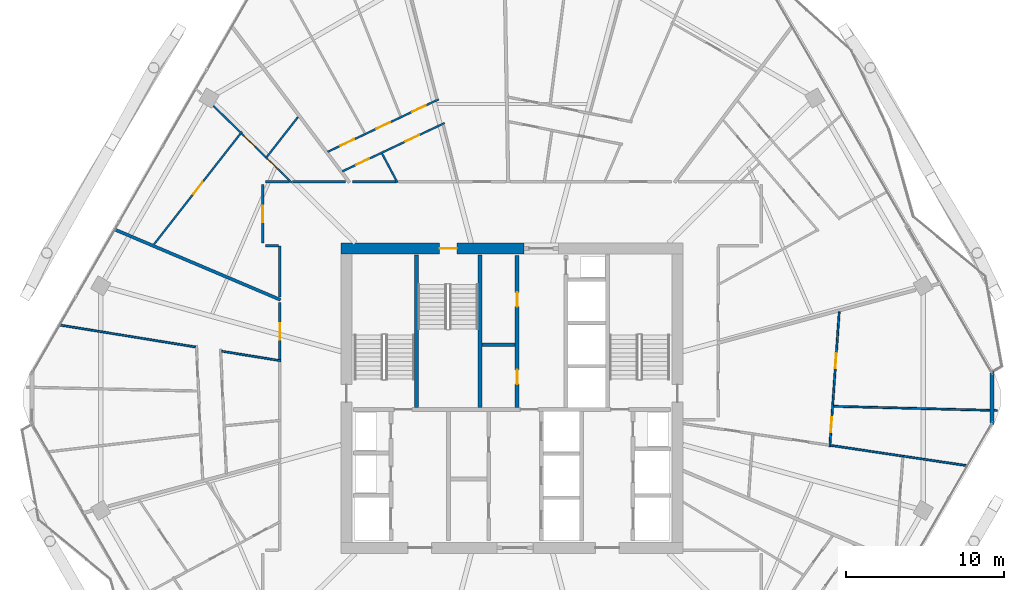
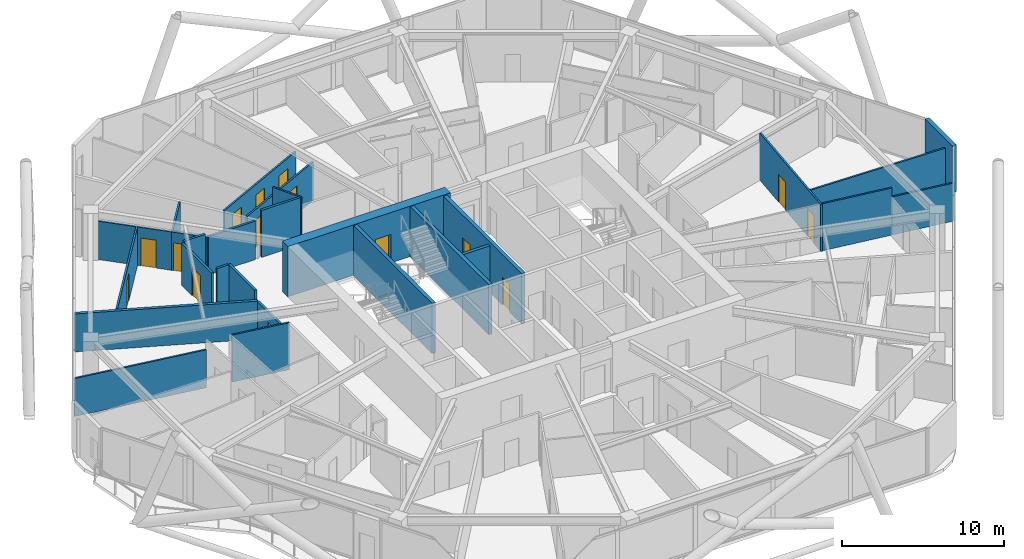
# One storey, part 24 of 29: 29 walls, 15 doors, 15 openings.
"""IFC4 building model written with IfcOpenShell, lengths in metres."""

from ifc_helpers import new_model, si_unit, direction, frame, frame_2d, origin, place, context, subcontext, project, spatial, rectangle, extrude, material, layer, layer_set, type_object, element, fill, save


model = new_model("IFC4")

# Units and contexts
model_context = context("Model", 3, precision=1e-05, world=origin(), true_north=direction((0.0, 1.0)))
body_context = subcontext(model_context, "Body", "Model", "MODEL_VIEW")
ifc_project = project(units=[si_unit("LENGTHUNIT", "METRE"), si_unit("AREAUNIT", "SQUARE_METRE"), si_unit("VOLUMEUNIT", "CUBIC_METRE"), si_unit("PLANEANGLEUNIT", "RADIAN"), si_unit("MASSUNIT", "GRAM", prefix="KILO")], contexts=[model_context])

# Site, building, storey
site_placement = place(None, origin())
site = spatial("IfcSite", under=ifc_project, at=site_placement, CompositionType="ELEMENT")
building_placement = place(site_placement, origin())
building = spatial("IfcBuilding", under=site, at=building_placement, Name="Zuhravey Tower", CompositionType="ELEMENT")
storey_placement = place(building_placement, frame((0.0, 0.0, 192.199951171875)))
storey = spatial("IfcBuildingStorey", under=building, at=storey_placement, Name="L48", CompositionType="ELEMENT", Elevation=192.199951171875)

# Wall, opening, door
ifc_material_1 = material(Name="Concrete C60/75", Category="concrete")
ifc_layer_1 = layer(ifc_material_1, 0.699951171875)
ifc_layer_set_1 = layer_set([ifc_layer_1], Name="Concrete C60/75")
wall_type_1 = type_object("IfcWallType", Name="Core Shear Wall 700", PredefinedType="SHEAR", material=ifc_layer_set_1)
wall_1_placement = place(storey_placement, frame((36.75, 41.5, 0.0), z_axis=(0.0, 0.0, 1.0), x_axis=(-1.0, 0.0, 0.0)))
wall_1 = element("IfcWall", 1, at=wall_1_placement, inside=storey, type_object=wall_type_1, Name="L48 North-West Core Shear Wall CW70", PredefinedType="SHEAR", context=body_context, shape_type="SweptSolid", body=[
    extrude(rectangle(XDim=11.60009765625, YDim=0.699951171875, at=frame_2d((5.800048828125, 0.0))), origin(), (0.0, 0.0, 1.0), 3.800048828125),
])
opening_1_placement = place(wall_1_placement, frame((4.25, 0.0, 0.0)))
opening_1 = element("IfcOpeningElement", 2, at=opening_1_placement, cuts=wall_1, Name="Opening STD1", PredefinedType="OPENING", context=body_context, shape_type="SweptSolid", body=[
    extrude(rectangle(XDim=1.10009765625, YDim=2.14990234375, at=frame_2d((0.550048828125, 1.074951171875))), frame((0.0, 0.362060546875, 0.0), z_axis=(0.0, -1.0, 0.0), x_axis=(1.0, 0.0, 0.0)), (0.0, 0.0, 1.0), 0.723876953125),
])
ifc_material_2 = material(Name="Galvanised fire-rated steel leaf", Category="steel")
door_type_1 = type_object("IfcDoorType", Name="Protected Stair Fire Door 1100x2150", OperationType="NOTDEFINED", PredefinedType="USERDEFINED", material=ifc_material_2)
door_1_placement = place(opening_1_placement, origin())
door_1 = element("IfcDoor", 3, at=door_1_placement, inside=storey, type_object=door_type_1, Name="L48 Stair ST3 Door", ObjectType="EXITDOOR", OperationType="SINGLE_SWING_LEFT", OverallHeight=2.14990234375, OverallWidth=1.10009765625, PredefinedType="USERDEFINED", context=body_context, shape_type="SweptSolid", body=[
    extrude(rectangle(XDim=1.10009765625, YDim=2.14990234375, at=frame_2d((0.550048828125, 1.074951171875))), frame((0.0, 0.02490234375, 0.0), z_axis=(0.0, -1.0, 0.0), x_axis=(1.0, 0.0, 0.0)), (0.0, 0.0, 1.0), 0.050048828125),
])
fill(opening_1, door_1)

ifc_material_3 = material(Name="Gypsum fire-rated stud partition")
ifc_layer_2 = layer(ifc_material_3, 0.159912109375)
ifc_layer_set_2 = layer_set([ifc_layer_2], Name="Gypsum fire-rated stud partition")
wall_type_2 = type_object("IfcWallType", Name="Corridor Fire Partition 160", PredefinedType="PARTITIONING", material=ifc_layer_set_2)
wall_2_placement = place(storey_placement, frame((20.169921875, 45.550048828125, 0.0), z_axis=(0.0, 0.0, 1.0), x_axis=(0.0, -1.0, 0.0)))
wall_2 = element("IfcWall", 4, at=wall_2_placement, inside=storey, type_object=wall_type_2, Name="L48 IW16 Partition 034", PredefinedType="PARTITIONING", context=body_context, shape_type="SweptSolid", body=[
    extrude(rectangle(XDim=3.699951171875, YDim=0.159912109375, at=frame_2d((1.85009765625, 0.0))), origin(), (0.0, 0.0, 1.0), 3.150146484375),
])
opening_2_placement = place(wall_2_placement, frame((1.324951171875, 0.0, 0.0)))
opening_2 = element("IfcOpeningElement", 5, at=opening_2_placement, cuts=wall_2, Name="Opening APD1", PredefinedType="OPENING", context=body_context, shape_type="SweptSolid", body=[
    extrude(rectangle(XDim=1.050048828125, YDim=2.14990234375, at=frame_2d((0.52490234375, 1.074951171875))), frame((0.0, 0.092041015625, 0.0), z_axis=(0.0, -1.0, 0.0), x_axis=(1.0, 0.0, 0.0)), (0.0, 0.0, 1.0), 0.183837890625),
])
ifc_material_4 = material(Name="Solid-core oak fire-rated leaf")
door_type_2 = type_object("IfcDoorType", Name="Apartment Entrance Fire Door 1050x2150", OperationType="NOTDEFINED", PredefinedType="DOOR", material=ifc_material_4)
door_2_placement = place(opening_2_placement, frame((1.050048828125, 0.0, 0.0), z_axis=(0.0, 0.0, 1.0), x_axis=(-1.0, 0.0, 0.0)))
door_2 = element("IfcDoor", 6, at=door_2_placement, inside=storey, type_object=door_type_2, Name="L48 Door 034.1", OperationType="SINGLE_SWING_RIGHT", OverallHeight=2.14990234375, OverallWidth=1.050048828125, PredefinedType="DOOR", context=body_context, shape_type="SweptSolid", body=[
    extrude(rectangle(XDim=1.050048828125, YDim=2.14990234375, at=frame_2d((0.52490234375, 1.074951171875))), frame((0.0, 0.02490234375, 0.0), z_axis=(0.0, -1.0, 0.0), x_axis=(1.0, 0.0, 0.0)), (0.0, 0.0, 1.0), 0.050048828125),
])
fill(opening_2, door_2)

wall_3_placement = place(storey_placement, frame((21.27001953125, 38.07958984375, 0.0), z_axis=(0.0, 0.0, 1.0), x_axis=(0.0, -1.0, 0.0)))
wall_3 = element("IfcWall", 7, at=wall_3_placement, inside=storey, type_object=wall_type_2, Name="L48 IW16 Partition 037", PredefinedType="PARTITIONING", context=body_context, shape_type="SweptSolid", body=[
    extrude(rectangle(XDim=3.678955078125, YDim=0.159912109375, at=frame_2d((1.83935546875, 0.0))), origin(), (0.0, 0.0, 1.0), 2.900146484375),
])
opening_3_placement = place(wall_3_placement, frame((1.314453125, 0.0, 0.0)))
opening_3 = element("IfcOpeningElement", 8, at=opening_3_placement, cuts=wall_3, Name="Opening APD1", PredefinedType="OPENING", context=body_context, shape_type="SweptSolid", body=[
    extrude(rectangle(XDim=1.050048828125, YDim=2.14990234375, at=frame_2d((0.52490234375, 1.074951171875))), frame((0.0, 0.092041015625, 0.0), z_axis=(0.0, -1.0, 0.0), x_axis=(1.0, 0.0, 0.0)), (0.0, 0.0, 1.0), 0.183837890625),
])
door_3_placement = place(opening_3_placement, frame((1.050048828125, 0.0, 0.0), z_axis=(0.0, 0.0, 1.0), x_axis=(-1.0, 0.0, 0.0)))
door_3 = element("IfcDoor", 9, at=door_3_placement, inside=storey, type_object=door_type_2, Name="L48 Door 037.1", OperationType="SINGLE_SWING_RIGHT", OverallHeight=2.14990234375, OverallWidth=1.050048828125, PredefinedType="DOOR", context=body_context, shape_type="SweptSolid", body=[
    extrude(rectangle(XDim=1.050048828125, YDim=2.14990234375, at=frame_2d((0.52490234375, 1.074951171875))), frame((0.0, 0.02490234375, 0.0), z_axis=(0.0, -1.0, 0.0), x_axis=(1.0, 0.0, 0.0)), (0.0, 0.0, 1.0), 0.050048828125),
])
fill(opening_3, door_3)

# Walls
wall_4_placement = place(storey_placement, frame((28.626220703125, 45.72998046875, 0.0), z_axis=(0.0, 0.0, 1.0), x_axis=(-1.0, 0.0, 0.0)))
element("IfcWall", 10, at=wall_4_placement, inside=storey, type_object=wall_type_2, Name="L48 IW16 Partition 131", PredefinedType="PARTITIONING", context=body_context, shape_type="SweptSolid", body=[
    extrude(rectangle(XDim=2.760986328125, YDim=0.159912109375, at=frame_2d((1.38037109375, 0.0))), origin(), (0.0, 0.0, 1.0), 3.550048828125),
])
wall_5_placement = place(storey_placement, frame((21.27001953125, 41.669921875, 0.0), z_axis=(0.0, 0.0, 1.0), x_axis=(0.0, -1.0, 0.0)))
element("IfcWall", 11, at=wall_5_placement, inside=storey, type_object=wall_type_2, Name="L48 IW16 Partition 132", PredefinedType="PARTITIONING", context=body_context, shape_type="SweptSolid", body=[
    extrude(rectangle(XDim=3.243408203125, YDim=0.159912109375, at=frame_2d((1.62158203125, 0.0))), origin(), (0.0, 0.0, 1.0), 3.550048828125),
])
wall_6_placement = place(storey_placement, frame((21.872314453125, 45.72998046875, 0.0), z_axis=(0.0, 0.0, 1.0), x_axis=(-1.0, 0.0, 0.0)))
element("IfcWall", 12, at=wall_6_placement, inside=storey, type_object=wall_type_2, Name="L48 IW16 Partition 133", PredefinedType="PARTITIONING", context=body_context, shape_type="SweptSolid", body=[
    extrude(rectangle(XDim=1.522216796875, YDim=0.159912109375, at=frame_2d((0.76123046875, 0.0))), origin(), (0.0, 0.0, 1.0), 3.150146484375),
])
wall_7_placement = place(storey_placement, frame((20.35009765625, 41.669921875, 0.0), z_axis=(0.0, 0.0, 1.0), x_axis=(1.0, 0.0, 0.0)))
element("IfcWall", 13, at=wall_7_placement, inside=storey, type_object=wall_type_2, Name="L48 IW16 Partition 134", PredefinedType="PARTITIONING", context=body_context, shape_type="SweptSolid", body=[
    extrude(rectangle(XDim=0.831787109375, YDim=0.159912109375, at=frame_2d((0.416015625, 0.0))), origin(), (0.0, 0.0, 1.0), 3.550048828125),
])
wall_8_placement = place(storey_placement, frame((25.439453125, 45.72998046875, 0.0), z_axis=(0.0, 0.0, 1.0), x_axis=(-1.0, 0.0, 0.0)))
element("IfcWall", 14, at=wall_8_placement, inside=storey, type_object=wall_type_2, Name="L48 IW16 Partition 135", PredefinedType="PARTITIONING", context=body_context, shape_type="SweptSolid", body=[
    extrude(rectangle(XDim=3.3798828125, YDim=0.159912109375, at=frame_2d((1.68994140625, 0.0))), origin(), (0.0, 0.0, 1.0), 2.900146484375),
])
ifc_material_5 = material(Name="Precast concrete C40/50", Category="concrete")
ifc_layer_3 = layer(ifc_material_5, 0.280029296875)
ifc_layer_set_3 = layer_set([ifc_layer_3], Name="Precast concrete C40/50")
wall_type_3 = type_object("IfcWallType", Name="Crown Architectural Wall 280", PredefinedType="SOLIDWALL", material=ifc_layer_set_3)
wall_9_placement = place(storey_placement, frame((66.4716796875, 33.6826171875, 0.0), z_axis=(0.0, 0.0, 1.0), x_axis=(0.0, -1.0, 0.0)))
element("IfcWall", 15, at=wall_9_placement, inside=storey, type_object=wall_type_3, Name="L48 Rounded Corner Closure Wall EW28-12", PredefinedType="SOLIDWALL", context=body_context, shape_type="SweptSolid", body=[
    extrude(rectangle(XDim=3.365234375, YDim=0.280029296875, at=frame_2d((1.6826171875, 0.0))), origin(), (0.0, 0.0, 1.0), 3.550048828125),
])
ifc_material_6 = material(Name="Concrete C50/60", Category="concrete")
ifc_layer_4 = layer(ifc_material_6, 0.25)
ifc_layer_set_4 = layer_set([ifc_layer_4], Name="Concrete C50/60")
wall_type_4 = type_object("IfcWallType", Name="Firefighting Shaft & Stair Wall 250", PredefinedType="SOLIDWALL", material=ifc_layer_set_4)
for number, where, z_axis, x_axis, name in (
    (16, (29.925048828125, 31.39990234375, 0.0), (0.0, 0.0, 1.0), (0.0, 1.0, 0.0), "L48 FW25 Shaft Wall 004"),
    (17, (33.97509765625, 31.39990234375, 0.0), (0.0, 0.0, 1.0), (0.0, 1.0, 0.0), "L48 FW25 Shaft Wall 005"),
):
    element("IfcWall", number, at=place(storey_placement, frame(where, z_axis=z_axis, x_axis=x_axis)), inside=storey, type_object=wall_type_4, Name=name, PredefinedType="SOLIDWALL", context=body_context, shape_type="SweptSolid", body=[
        extrude(rectangle(XDim=9.7001953125, YDim=0.25, at=frame_2d((4.85009765625, 0.0))), origin(), (0.0, 0.0, 1.0), 3.800048828125),
    ])

# Wall, openings, doors
wall_10_placement = place(storey_placement, frame((36.324951171875, 31.39990234375, 0.0), z_axis=(0.0, 0.0, 1.0), x_axis=(0.0, 1.0, 0.0)))
wall_10 = element("IfcWall", 18, at=wall_10_placement, inside=storey, type_object=wall_type_4, Name="L48 FW25 Shaft Wall 007", PredefinedType="SOLIDWALL", context=body_context, shape_type="SweptSolid", body=[
    extrude(rectangle(XDim=9.650146484375, YDim=0.25, at=frame_2d((4.8251953125, 0.0))), origin(), (0.0, 0.0, 1.0), 3.800048828125),
])
opening_4_placement = place(wall_10_placement, frame((1.489990234375, 0.0, 0.0)))
opening_4 = element("IfcOpeningElement", 19, at=opening_4_placement, cuts=wall_10, Name="Opening RSD1", PredefinedType="OPENING", context=body_context, shape_type="SweptSolid", body=[
    extrude(rectangle(XDim=0.89990234375, YDim=2.10009765625, at=frame_2d((0.449951171875, 1.050048828125))), frame((0.0, 0.136962890625, 0.0), z_axis=(0.0, -1.0, 0.0), x_axis=(1.0, 0.0, 0.0)), (0.0, 0.0, 1.0), 0.27392578125),
])
opening_5_placement = place(wall_10_placement, frame((6.409912109375, 0.0, 0.0)))
opening_5 = element("IfcOpeningElement", 20, at=opening_5_placement, cuts=wall_10, Name="Opening RSD1", PredefinedType="OPENING", context=body_context, shape_type="SweptSolid", body=[
    extrude(rectangle(XDim=0.89990234375, YDim=2.10009765625, at=frame_2d((0.449951171875, 1.050048828125))), frame((0.0, 0.136962890625, 0.0), z_axis=(0.0, -1.0, 0.0), x_axis=(1.0, 0.0, 0.0)), (0.0, 0.0, 1.0), 0.27392578125),
])
ifc_material_7 = material(Name="Galvanised fire-rated steel access leaf", Category="steel")
door_type_3 = type_object("IfcDoorType", Name="Riser & Shaft Access Fire Door 900x2100", OperationType="NOTDEFINED", PredefinedType="DOOR", material=ifc_material_7)
door_4_placement = place(opening_4_placement, origin())
door_4 = element("IfcDoor", 21, at=door_4_placement, inside=storey, type_object=door_type_3, Name="L48 Core Cleaner Store Door", OperationType="SINGLE_SWING_LEFT", OverallHeight=2.10009765625, OverallWidth=0.89990234375, PredefinedType="DOOR", context=body_context, shape_type="SweptSolid", body=[
    extrude(rectangle(XDim=0.89990234375, YDim=2.10009765625, at=frame_2d((0.449951171875, 1.050048828125))), frame((0.0, 0.02490234375, 0.0), z_axis=(0.0, -1.0, 0.0), x_axis=(1.0, 0.0, 0.0)), (0.0, 0.0, 1.0), 0.050048828125),
])
fill(opening_4, door_4)
door_5_placement = place(opening_5_placement, origin())
door_5 = element("IfcDoor", 22, at=door_5_placement, inside=storey, type_object=door_type_3, Name="L48 Core Pantry and Tea Room Door", OperationType="SINGLE_SWING_RIGHT", OverallHeight=2.10009765625, OverallWidth=0.89990234375, PredefinedType="DOOR", context=body_context, shape_type="SweptSolid", body=[
    extrude(rectangle(XDim=0.89990234375, YDim=2.10009765625, at=frame_2d((0.449951171875, 1.050048828125))), frame((0.0, 0.02490234375, 0.0), z_axis=(0.0, -1.0, 0.0), x_axis=(1.0, 0.0, 0.0)), (0.0, 0.0, 1.0), 0.050048828125),
])
fill(opening_5, door_5)

# Walls
ifc_material_8 = material(Name="Gypsum double-stud party assembly")
ifc_layer_5 = layer(ifc_material_8, 0.199951171875)
ifc_layer_set_5 = layer_set([ifc_layer_5], Name="Gypsum double-stud party assembly")
wall_type_5 = type_object("IfcWallType", Name="Inter-Tenancy Party Wall 200", PredefinedType="PARTITIONING", material=ifc_layer_set_5)
wall_11_placement = place(storey_placement, frame((21.31005859375, 38.235595703125, 0.0), z_axis=(0.0, 0.0, 1.0), x_axis=(-0.920512876962, 0.390712225746, 0.0)))
element("IfcWall", 23, at=wall_11_placement, inside=storey, type_object=wall_type_5, Name="L48 IW20 Partition 092", PredefinedType="PARTITIONING", context=body_context, shape_type="SweptSolid", body=[
    extrude(rectangle(XDim=11.4287109375, YDim=0.199951171875, at=frame_2d((5.71435546875, 0.0))), origin(), (0.0, 0.0, 1.0), 2.8701171875),
])
ifc_material_9 = material(Name="Gypsum acoustic stud assembly")
ifc_layer_6 = layer(ifc_material_9, 0.219970703125)
ifc_layer_set_6 = layer_set([ifc_layer_6], Name="Gypsum acoustic stud assembly")
wall_type_6 = type_object("IfcWallType", Name="School Acoustic Compartment Wall 220", PredefinedType="PARTITIONING", material=ifc_layer_set_6)
wall_12_placement = place(storey_placement, frame((34.10791015625, 35.39990234375, 0.0), z_axis=(0.0, 0.0, 1.0), x_axis=(1.0, 0.0, 0.0)))
element("IfcWall", 24, at=wall_12_placement, inside=storey, type_object=wall_type_6, Name="L48 IW22 Partition 061", PredefinedType="PARTITIONING", context=body_context, shape_type="SweptSolid", body=[
    extrude(rectangle(XDim=2.083984375, YDim=0.219970703125, at=frame_2d((1.0419921875, 0.0))), origin(), (0.0, 0.0, 1.0), 3.550048828125),
])

# Wall, openings, doors
ifc_material_10 = material(Name="Gypsum metal-stud partition")
ifc_layer_7 = layer(ifc_material_10, 0.1201171875)
ifc_layer_set_7 = layer_set([ifc_layer_7], Name="Gypsum metal-stud partition")
wall_type_7 = type_object("IfcWallType", Name="Unit Internal Partition 120", PredefinedType="PARTITIONING", material=ifc_layer_set_7)
wall_13_placement = place(storey_placement, frame((31.71728515625, 49.461181640625, 0.0), z_axis=(0.0, 0.0, 1.0), x_axis=(-0.904083014939, -0.427356879081, 0.0)))
wall_13 = element("IfcWall", 25, at=wall_13_placement, inside=storey, type_object=wall_type_7, Name="L48 IW12 Partition 027", PredefinedType="PARTITIONING", context=body_context, shape_type="SweptSolid", body=[
    extrude(rectangle(XDim=7.180419921875, YDim=0.1201171875, at=frame_2d((3.59033203125, 0.0))), origin(), (0.0, 0.0, 1.0), 2.900146484375),
])
opening_6_placement = place(wall_13_placement, frame((1.78466796875, 0.0, 0.0)))
opening_6 = element("IfcOpeningElement", 26, at=opening_6_placement, cuts=wall_13, Name="Opening IND1", PredefinedType="OPENING", context=body_context, shape_type="SweptSolid", body=[
    extrude(rectangle(XDim=0.949951171875, YDim=2.10009765625, at=frame_2d((0.47509765625, 1.050048828125))), frame((0.0, 0.072021484375, 0.0), z_axis=(0.0, -1.0, 0.0), x_axis=(1.0, 0.0, 0.0)), (0.0, 0.0, 1.0), 0.14404296875),
])
opening_7_placement = place(wall_13_placement, frame((5.2978515625, 0.0, 0.0)))
opening_7 = element("IfcOpeningElement", 27, at=opening_7_placement, cuts=wall_13, Name="Opening WCD1", PredefinedType="OPENING", context=body_context, shape_type="SweptSolid", body=[
    extrude(rectangle(XDim=0.89990234375, YDim=2.10009765625, at=frame_2d((0.449951171875, 1.050048828125))), frame((0.0, 0.072021484375, 0.0), z_axis=(0.0, -1.0, 0.0), x_axis=(1.0, 0.0, 0.0)), (0.0, 0.0, 1.0), 0.14404296875),
])
ifc_material_11 = material(Name="Moisture-resistant timber leaf", Category="wood")
door_type_4 = type_object("IfcDoorType", Name="Bathroom & WC Internal Door 900x2100", OperationType="NOTDEFINED", PredefinedType="DOOR", material=ifc_material_11)
door_6_placement = place(opening_7_placement, origin())
door_6 = element("IfcDoor", 28, at=door_6_placement, inside=storey, type_object=door_type_4, Name="Apartment L48-03 Bathroom Door", OperationType="SINGLE_SWING_RIGHT", OverallHeight=2.10009765625, OverallWidth=0.89990234375, PredefinedType="DOOR", context=body_context, shape_type="SweptSolid", body=[
    extrude(rectangle(XDim=0.89990234375, YDim=2.10009765625, at=frame_2d((0.449951171875, 1.050048828125))), frame((0.0, 0.02490234375, 0.0), z_axis=(0.0, -1.0, 0.0), x_axis=(1.0, 0.0, 0.0)), (0.0, 0.0, 1.0), 0.050048828125),
])
fill(opening_7, door_6)
ifc_material_12 = material(Name="Painted engineered timber leaf", Category="wood")
door_type_5 = type_object("IfcDoorType", Name="Internal Room & Bedroom Door 950x2100", OperationType="NOTDEFINED", PredefinedType="DOOR", material=ifc_material_12)
door_7_placement = place(opening_6_placement, origin())
door_7 = element("IfcDoor", 29, at=door_7_placement, inside=storey, type_object=door_type_5, Name="Apartment L48-03 Kitchen Door", OperationType="SINGLE_SWING_LEFT", OverallHeight=2.10009765625, OverallWidth=0.949951171875, PredefinedType="DOOR", context=body_context, shape_type="SweptSolid", body=[
    extrude(rectangle(XDim=0.949951171875, YDim=2.10009765625, at=frame_2d((0.47509765625, 1.050048828125))), frame((0.0, 0.02490234375, 0.0), z_axis=(0.0, -1.0, 0.0), x_axis=(1.0, 0.0, 0.0)), (0.0, 0.0, 1.0), 0.050048828125),
])
fill(opening_6, door_7)

wall_14_placement = place(storey_placement, frame((31.339599609375, 50.964111328125, 0.0), z_axis=(0.0, 0.0, 1.0), x_axis=(-0.904072927677, -0.427378218258, 0.0)))
wall_14 = element("IfcWall", 30, at=wall_14_placement, inside=storey, type_object=wall_type_7, Name="L48 IW12 Partition 028", PredefinedType="PARTITIONING", context=body_context, shape_type="SweptSolid", body=[
    extrude(rectangle(XDim=7.7822265625, YDim=0.1201171875, at=frame_2d((3.89111328125, 0.0))), origin(), (0.0, 0.0, 1.0), 2.900146484375),
])
opening_8_placement = place(wall_14_placement, frame((0.896240234375, 0.0, 0.0)))
opening_8 = element("IfcOpeningElement", 31, at=opening_8_placement, cuts=wall_14, Name="Opening IND1", PredefinedType="OPENING", context=body_context, shape_type="SweptSolid", body=[
    extrude(rectangle(XDim=0.949951171875, YDim=2.10009765625, at=frame_2d((0.47509765625, 1.050048828125))), frame((0.0, 0.072021484375, 0.0), z_axis=(0.0, -1.0, 0.0), x_axis=(1.0, 0.0, 0.0)), (0.0, 0.0, 1.0), 0.14404296875),
])
opening_9_placement = place(wall_14_placement, frame((3.416015625, 0.0, 0.0)))
opening_9 = element("IfcOpeningElement", 32, at=opening_9_placement, cuts=wall_14, Name="Opening IND1", PredefinedType="OPENING", context=body_context, shape_type="SweptSolid", body=[
    extrude(rectangle(XDim=0.949951171875, YDim=2.10009765625, at=frame_2d((0.47509765625, 1.050048828125))), frame((0.0, 0.072021484375, 0.0), z_axis=(0.0, -1.0, 0.0), x_axis=(1.0, 0.0, 0.0)), (0.0, 0.0, 1.0), 0.14404296875),
])
opening_10_placement = place(wall_14_placement, frame((5.93603515625, 0.0, 0.0)))
opening_10 = element("IfcOpeningElement", 33, at=opening_10_placement, cuts=wall_14, Name="Opening IND1", PredefinedType="OPENING", context=body_context, shape_type="SweptSolid", body=[
    extrude(rectangle(XDim=0.949951171875, YDim=2.10009765625, at=frame_2d((0.47509765625, 1.050048828125))), frame((0.0, 0.072021484375, 0.0), z_axis=(0.0, -1.0, 0.0), x_axis=(1.0, 0.0, 0.0)), (0.0, 0.0, 1.0), 0.14404296875),
])
door_8_placement = place(opening_8_placement, frame((0.949951171875, 0.0, 0.0), z_axis=(0.0, 0.0, 1.0), x_axis=(-1.0, 0.0, 0.0)))
door_8 = element("IfcDoor", 34, at=door_8_placement, inside=storey, type_object=door_type_5, Name="Apartment L48-03 Bedroom 1 Door", OperationType="SINGLE_SWING_LEFT", OverallHeight=2.10009765625, OverallWidth=0.949951171875, PredefinedType="DOOR", context=body_context, shape_type="SweptSolid", body=[
    extrude(rectangle(XDim=0.949951171875, YDim=2.10009765625, at=frame_2d((0.47509765625, 1.050048828125))), frame((0.0, 0.02490234375, 0.0), z_axis=(0.0, -1.0, 0.0), x_axis=(1.0, 0.0, 0.0)), (0.0, 0.0, 1.0), 0.050048828125),
])
fill(opening_8, door_8)
door_9_placement = place(opening_9_placement, frame((0.949951171875, 0.0, 0.0), z_axis=(0.0, 0.0, 1.0), x_axis=(-1.0, 0.0, 0.0)))
door_9 = element("IfcDoor", 35, at=door_9_placement, inside=storey, type_object=door_type_5, Name="Apartment L48-03 Bedroom 2 Door", OperationType="SINGLE_SWING_RIGHT", OverallHeight=2.10009765625, OverallWidth=0.949951171875, PredefinedType="DOOR", context=body_context, shape_type="SweptSolid", body=[
    extrude(rectangle(XDim=0.949951171875, YDim=2.10009765625, at=frame_2d((0.47509765625, 1.050048828125))), frame((0.0, 0.02490234375, 0.0), z_axis=(0.0, -1.0, 0.0), x_axis=(1.0, 0.0, 0.0)), (0.0, 0.0, 1.0), 0.050048828125),
])
fill(opening_9, door_9)
door_10_placement = place(opening_10_placement, frame((0.949951171875, 0.0, 0.0), z_axis=(0.0, 0.0, 1.0), x_axis=(-1.0, 0.0, 0.0)))
door_10 = element("IfcDoor", 36, at=door_10_placement, inside=storey, type_object=door_type_5, Name="Apartment L48-03 Bedroom 3 Door", OperationType="SINGLE_SWING_LEFT", OverallHeight=2.10009765625, OverallWidth=0.949951171875, PredefinedType="DOOR", context=body_context, shape_type="SweptSolid", body=[
    extrude(rectangle(XDim=0.949951171875, YDim=2.10009765625, at=frame_2d((0.47509765625, 1.050048828125))), frame((0.0, 0.02490234375, 0.0), z_axis=(0.0, -1.0, 0.0), x_axis=(1.0, 0.0, 0.0)), (0.0, 0.0, 1.0), 0.050048828125),
])
fill(opening_10, door_10)

# Wall, opening, door
wall_15_placement = place(storey_placement, frame((18.859619140625, 48.913330078125, 0.0), z_axis=(0.0, 0.0, 1.0), x_axis=(-0.615647177954, -0.788021923729, 0.0)))
wall_15 = element("IfcWall", 37, at=wall_15_placement, inside=storey, type_object=wall_type_7, Name="L48 IW12 Partition 030", PredefinedType="PARTITIONING", context=body_context, shape_type="SweptSolid", body=[
    extrude(rectangle(XDim=9.064453125, YDim=0.1201171875, at=frame_2d((4.5322265625, 0.0))), origin(), (0.0, 0.0, 1.0), 2.900146484375),
])
opening_11_placement = place(wall_15_placement, frame((4.057373046875, 0.0, 0.0)))
opening_11 = element("IfcOpeningElement", 38, at=opening_11_placement, cuts=wall_15, Name="Opening IND1", PredefinedType="OPENING", context=body_context, shape_type="SweptSolid", body=[
    extrude(rectangle(XDim=0.949951171875, YDim=2.10009765625, at=frame_2d((0.47509765625, 1.050048828125))), frame((0.0, 0.072021484375, 0.0), z_axis=(0.0, -1.0, 0.0), x_axis=(1.0, 0.0, 0.0)), (0.0, 0.0, 1.0), 0.14404296875),
])
door_11_placement = place(opening_11_placement, frame((0.949951171875, 0.0, 0.0), z_axis=(0.0, 0.0, 1.0), x_axis=(-1.0, 0.0, 0.0)))
door_11 = element("IfcDoor", 39, at=door_11_placement, inside=storey, type_object=door_type_5, Name="Apartment L48-04 Family Study Door", OperationType="SINGLE_SWING_LEFT", OverallHeight=2.10009765625, OverallWidth=0.949951171875, PredefinedType="DOOR", context=body_context, shape_type="SweptSolid", body=[
    extrude(rectangle(XDim=0.949951171875, YDim=2.10009765625, at=frame_2d((0.47509765625, 1.050048828125))), frame((0.0, 0.02490234375, 0.0), z_axis=(0.0, -1.0, 0.0), x_axis=(1.0, 0.0, 0.0)), (0.0, 0.0, 1.0), 0.050048828125),
])
fill(opening_11, door_11)

wall_16_placement = place(storey_placement, frame((21.38720703125, 46.300048828125, 0.0), z_axis=(0.0, 0.0, 1.0), x_axis=(-0.714709414699, 0.699421512781, 0.0)))
wall_16 = element("IfcWall", 40, at=wall_16_placement, inside=storey, type_object=wall_type_7, Name="L48 IW12 Partition 031", PredefinedType="PARTITIONING", context=body_context, shape_type="SweptSolid", body=[
    extrude(rectangle(XDim=1.4052734375, YDim=0.1201171875, at=frame_2d((0.70263671875, 0.0))), origin(), (0.0, 0.0, 1.0), 2.900146484375),
])
opening_12_placement = place(wall_16_placement, frame((0.365234375, 0.0, 0.0)))
opening_12 = element("IfcOpeningElement", 41, at=opening_12_placement, cuts=wall_16, Name="Opening WCD1", PredefinedType="OPENING", context=body_context, shape_type="SweptSolid", body=[
    extrude(rectangle(XDim=0.89990234375, YDim=2.10009765625, at=frame_2d((0.449951171875, 1.050048828125))), frame((0.0, 0.072021484375, 0.0), z_axis=(0.0, -1.0, 0.0), x_axis=(1.0, 0.0, 0.0)), (0.0, 0.0, 1.0), 0.14404296875),
])
door_12_placement = place(opening_12_placement, frame((0.89990234375, 0.0, 0.0), z_axis=(0.0, 0.0, 1.0), x_axis=(-1.0, 0.0, 0.0)))
door_12 = element("IfcDoor", 42, at=door_12_placement, inside=storey, type_object=door_type_4, Name="Apartment L48-04 Bathroom Door", OperationType="SINGLE_SWING_RIGHT", OverallHeight=2.10009765625, OverallWidth=0.89990234375, PredefinedType="DOOR", context=body_context, shape_type="SweptSolid", body=[
    extrude(rectangle(XDim=0.89990234375, YDim=2.10009765625, at=frame_2d((0.449951171875, 1.050048828125))), frame((0.0, 0.02490234375, 0.0), z_axis=(0.0, -1.0, 0.0), x_axis=(1.0, 0.0, 0.0)), (0.0, 0.0, 1.0), 0.050048828125),
])
fill(opening_12, door_12)

wall_17_placement = place(storey_placement, frame((20.3828125, 47.282958984375, 0.0), z_axis=(0.0, 0.0, 1.0), x_axis=(-0.714732795813, 0.699397619806, 0.0)))
wall_17 = element("IfcWall", 43, at=wall_17_placement, inside=storey, type_object=wall_type_7, Name="L48 IW12 Partition 032", PredefinedType="PARTITIONING", context=body_context, shape_type="SweptSolid", body=[
    extrude(rectangle(XDim=2.149169921875, YDim=0.1201171875, at=frame_2d((1.07470703125, 0.0))), origin(), (0.0, 0.0, 1.0), 2.900146484375),
])
opening_13_placement = place(wall_17_placement, frame((0.986328125, 0.0, 0.0)))
opening_13 = element("IfcOpeningElement", 44, at=opening_13_placement, cuts=wall_17, Name="Opening IND1", PredefinedType="OPENING", context=body_context, shape_type="SweptSolid", body=[
    extrude(rectangle(XDim=0.949951171875, YDim=2.10009765625, at=frame_2d((0.47509765625, 1.050048828125))), frame((0.0, 0.072021484375, 0.0), z_axis=(0.0, -1.0, 0.0), x_axis=(1.0, 0.0, 0.0)), (0.0, 0.0, 1.0), 0.14404296875),
])
door_13_placement = place(opening_13_placement, frame((0.949951171875, 0.0, 0.0), z_axis=(0.0, 0.0, 1.0), x_axis=(-1.0, 0.0, 0.0)))
door_13 = element("IfcDoor", 45, at=door_13_placement, inside=storey, type_object=door_type_5, Name="Apartment L48-04 Kitchen Door", OperationType="SINGLE_SWING_LEFT", OverallHeight=2.10009765625, OverallWidth=0.949951171875, PredefinedType="DOOR", context=body_context, shape_type="SweptSolid", body=[
    extrude(rectangle(XDim=0.949951171875, YDim=2.10009765625, at=frame_2d((0.47509765625, 1.050048828125))), frame((0.0, 0.02490234375, 0.0), z_axis=(0.0, -1.0, 0.0), x_axis=(1.0, 0.0, 0.0)), (0.0, 0.0, 1.0), 0.050048828125),
])
fill(opening_13, door_13)

# Wall
wall_18_placement = place(storey_placement, frame((18.748779296875, 48.8818359375, 0.0), z_axis=(0.0, 0.0, 1.0), x_axis=(-0.714735111358, 0.699395253481, 0.0)))
element("IfcWall", 46, at=wall_18_placement, inside=storey, type_object=wall_type_7, Name="L48 IW12 Partition 033", PredefinedType="PARTITIONING", context=body_context, shape_type="SweptSolid", body=[
    extrude(rectangle(XDim=2.38720703125, YDim=0.1201171875, at=frame_2d((1.193603515625, 0.0))), origin(), (0.0, 0.0, 1.0), 2.900146484375),
])

# Wall, openings, doors
wall_19_placement = place(storey_placement, frame((56.1728515625, 28.905517578125, 0.0), z_axis=(0.0, 0.0, 1.0), x_axis=(0.069768607492, 0.997563201711, 0.0)))
wall_19 = element("IfcWall", 47, at=wall_19_placement, inside=storey, type_object=wall_type_7, Name="L48 IW12 Partition 055", PredefinedType="PARTITIONING", context=body_context, shape_type="SweptSolid", body=[
    extrude(rectangle(XDim=8.5908203125, YDim=0.1201171875, at=frame_2d((4.29541015625, 0.0))), origin(), (0.0, 0.0, 1.0), 3.550048828125),
])
opening_14_placement = place(wall_19_placement, frame((0.93603515625, 0.0, 0.0)))
opening_14 = element("IfcOpeningElement", 48, at=opening_14_placement, cuts=wall_19, Name="Opening IND1", PredefinedType="OPENING", context=body_context, shape_type="SweptSolid", body=[
    extrude(rectangle(XDim=0.949951171875, YDim=2.10009765625, at=frame_2d((0.47509765625, 1.050048828125))), frame((0.0, 0.072021484375, 0.0), z_axis=(0.0, -1.0, 0.0), x_axis=(1.0, 0.0, 0.0)), (0.0, 0.0, 1.0), 0.14404296875),
])
opening_15_placement = place(wall_19_placement, frame((4.991455078125, 0.0, 0.0)))
opening_15 = element("IfcOpeningElement", 49, at=opening_15_placement, cuts=wall_19, Name="Opening IND1", PredefinedType="OPENING", context=body_context, shape_type="SweptSolid", body=[
    extrude(rectangle(XDim=0.949951171875, YDim=2.10009765625, at=frame_2d((0.47509765625, 1.050048828125))), frame((0.0, 0.072021484375, 0.0), z_axis=(0.0, -1.0, 0.0), x_axis=(1.0, 0.0, 0.0)), (0.0, 0.0, 1.0), 0.14404296875),
])
door_14_placement = place(opening_14_placement, frame((0.949951171875, 0.0, 0.0), z_axis=(0.0, 0.0, 1.0), x_axis=(-1.0, 0.0, 0.0)))
door_14 = element("IfcDoor", 50, at=door_14_placement, inside=storey, type_object=door_type_5, Name="Apartment L48-10 Family Study Door", OperationType="SINGLE_SWING_RIGHT", OverallHeight=2.10009765625, OverallWidth=0.949951171875, PredefinedType="DOOR", context=body_context, shape_type="SweptSolid", body=[
    extrude(rectangle(XDim=0.949951171875, YDim=2.10009765625, at=frame_2d((0.47509765625, 1.050048828125))), frame((0.0, 0.02490234375, 0.0), z_axis=(0.0, -1.0, 0.0), x_axis=(1.0, 0.0, 0.0)), (0.0, 0.0, 1.0), 0.050048828125),
])
fill(opening_14, door_14)
door_15_placement = place(opening_15_placement, frame((0.949951171875, 0.0, 0.0), z_axis=(0.0, 0.0, 1.0), x_axis=(-1.0, 0.0, 0.0)))
door_15 = element("IfcDoor", 51, at=door_15_placement, inside=storey, type_object=door_type_5, Name="Apartment L48-10 Dining Room Door", OperationType="SINGLE_SWING_LEFT", OverallHeight=2.10009765625, OverallWidth=0.949951171875, PredefinedType="DOOR", context=body_context, shape_type="SweptSolid", body=[
    extrude(rectangle(XDim=0.949951171875, YDim=2.10009765625, at=frame_2d((0.47509765625, 1.050048828125))), frame((0.0, 0.02490234375, 0.0), z_axis=(0.0, -1.0, 0.0), x_axis=(1.0, 0.0, 0.0)), (0.0, 0.0, 1.0), 0.050048828125),
])
fill(opening_15, door_15)

# Walls
wall_20_placement = place(storey_placement, frame((56.247314453125, 28.99560546875, 0.0), z_axis=(0.0, 0.0, 1.0), x_axis=(0.989173212218, -0.146752704339, 0.0)))
element("IfcWall", 52, at=wall_20_placement, inside=storey, type_object=wall_type_7, Name="L48 IW12 Partition 058", PredefinedType="PARTITIONING", context=body_context, shape_type="SweptSolid", body=[
    extrude(rectangle(XDim=4.639892578125, YDim=0.1201171875, at=frame_2d((2.31982421875, 0.0))), origin(), (0.0, 0.0, 1.0), 3.550048828125),
])
wall_21_placement = place(storey_placement, frame((28.72998046875, 45.679931640625, 0.0), z_axis=(0.0, 0.0, 1.0), x_axis=(-0.469275581214, 0.883051770213, 0.0)))
element("IfcWall", 53, at=wall_21_placement, inside=storey, type_object=wall_type_7, Name="L48 IW12 Partition 082", PredefinedType="PARTITIONING", context=body_context, shape_type="SweptSolid", body=[
    extrude(rectangle(XDim=2.076416015625, YDim=0.1201171875, at=frame_2d((1.0380859375, 0.0))), origin(), (0.0, 0.0, 1.0), 3.550048828125),
])
wall_22_placement = place(storey_placement, frame((22.015625, 45.68505859375, 0.0), z_axis=(0.0, 0.0, 1.0), x_axis=(-0.714701250038, 0.699429855807, 0.0)))
element("IfcWall", 54, at=wall_22_placement, inside=storey, type_object=wall_type_7, Name="L48 IW12 Partition 089", PredefinedType="PARTITIONING", context=body_context, shape_type="SweptSolid", body=[
    extrude(rectangle(XDim=0.87939453125, YDim=0.1201171875, at=frame_2d((0.439697265625, 0.0))), origin(), (0.0, 0.0, 1.0), 2.900146484375),
])
wall_23_placement = place(storey_placement, frame((22.416748046875, 49.845947265625, 0.0), z_axis=(0.0, 0.0, 1.0), x_axis=(-0.615599713935, -0.788059002996, 0.0)))
element("IfcWall", 55, at=wall_23_placement, inside=storey, type_object=wall_type_7, Name="L48 IW12 Partition 091", PredefinedType="PARTITIONING", context=body_context, shape_type="SweptSolid", body=[
    extrude(rectangle(XDim=3.20654296875, YDim=0.1201171875, at=frame_2d((1.603271484375, 0.0))), origin(), (0.0, 0.0, 1.0), 2.900146484375),
])
wall_24_placement = place(storey_placement, frame((21.320068359375, 34.372314453125, 0.0), z_axis=(0.0, 0.0, 1.0), x_axis=(-0.987194396441, 0.159521859431, 0.0)))
element("IfcWall", 56, at=wall_24_placement, inside=storey, type_object=wall_type_7, Name="L48 IW12 Partition 096", PredefinedType="PARTITIONING", context=body_context, shape_type="SweptSolid", body=[
    extrude(rectangle(XDim=3.79248046875, YDim=0.1201171875, at=frame_2d((1.896240234375, 0.0))), origin(), (0.0, 0.0, 1.0), 3.550048828125),
])
wall_25_placement = place(storey_placement, frame((15.906005859375, 35.247314453125, 0.0), z_axis=(0.0, 0.0, 1.0), x_axis=(-0.987192193951, 0.159535488848, 0.0)))
element("IfcWall", 57, at=wall_25_placement, inside=storey, type_object=wall_type_7, Name="L48 IW12 Partition 097", PredefinedType="PARTITIONING", context=body_context, shape_type="SweptSolid", body=[
    extrude(rectangle(XDim=8.738037109375, YDim=0.1201171875, at=frame_2d((4.369140625, 0.0))), origin(), (0.0, 0.0, 1.0), 2.8701171875),
])
wall_26_placement = place(storey_placement, frame((56.421142578125, 31.479736328125, 0.0), z_axis=(0.0, 0.0, 1.0), x_axis=(0.999675097587, -0.025489198988, 0.0)))
element("IfcWall", 58, at=wall_26_placement, inside=storey, type_object=wall_type_7, Name="L48 IW12 Partition 119", PredefinedType="PARTITIONING", context=body_context, shape_type="SweptSolid", body=[
    extrude(rectangle(XDim=10.3828125, YDim=0.1201171875, at=frame_2d((5.19140625, 0.0))), origin(), (0.0, 0.0, 1.0), 2.8701171875),
])
wall_27_placement = place(storey_placement, frame((60.8369140625, 28.314697265625, 0.0), z_axis=(0.0, 0.0, 1.0), x_axis=(0.989174828163, -0.146741811793, 0.0)))
element("IfcWall", 59, at=wall_27_placement, inside=storey, type_object=wall_type_7, Name="L48 IW12 Partition 121", PredefinedType="PARTITIONING", context=body_context, shape_type="SweptSolid", body=[
    extrude(rectangle(XDim=4.122802734375, YDim=0.1201171875, at=frame_2d((2.0615234375, 0.0))), origin(), (0.0, 0.0, 1.0), 2.8701171875),
])

save(model, "model.ifc")
